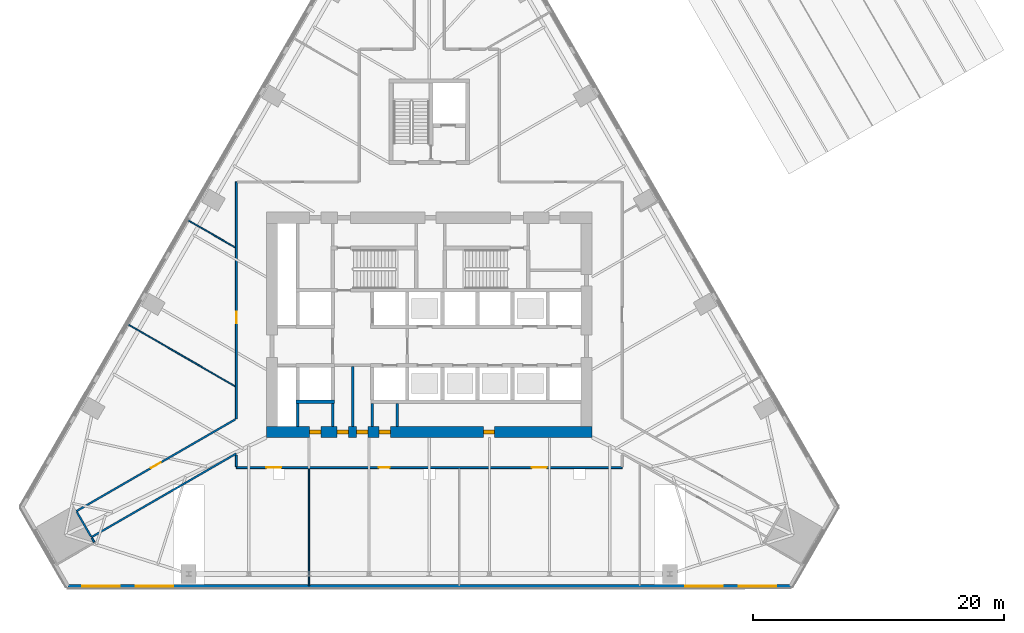
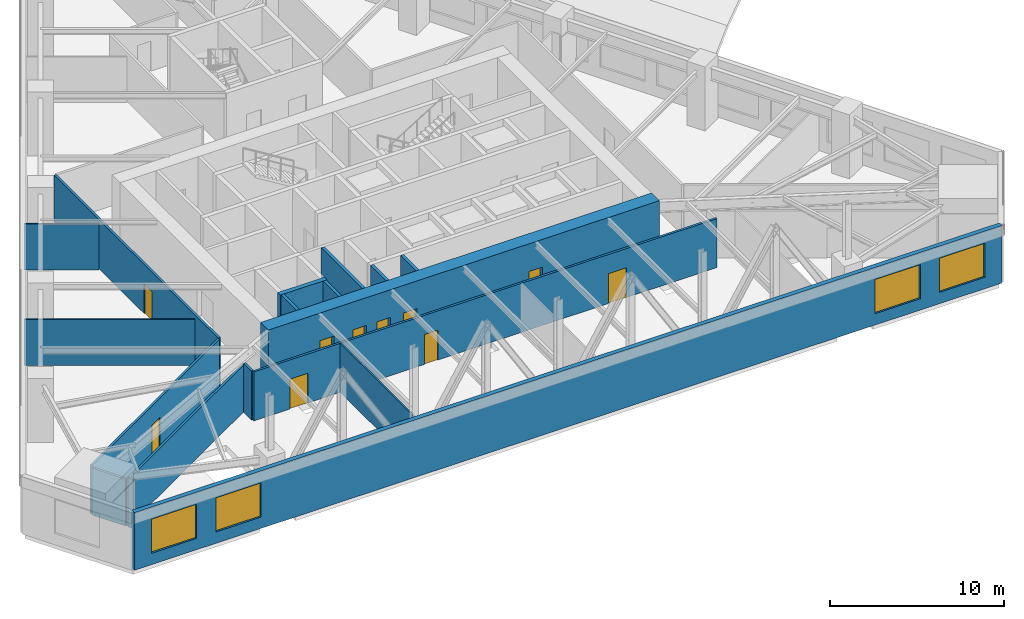
# One storey, part 5 of 11: 18 walls, 10 doors, 4 windows, 14 openings.
"""IFC4 building model written with IfcOpenShell, lengths in metres."""

from ifc_helpers import new_model, si_unit, direction, frame, frame_2d, origin, place, context, subcontext, project, spatial, rectangle, extrude, material, layer, layer_set, type_object, element, fill, save


model = new_model("IFC4")

# Units and contexts
model_context = context("Model", 3, precision=1e-05, world=origin(), true_north=direction((0.0, 1.0)))
body_context = subcontext(model_context, "Body", "Model", "MODEL_VIEW")
ifc_project = project(units=[si_unit("LENGTHUNIT", "METRE"), si_unit("AREAUNIT", "SQUARE_METRE"), si_unit("VOLUMEUNIT", "CUBIC_METRE"), si_unit("PLANEANGLEUNIT", "RADIAN"), si_unit("MASSUNIT", "GRAM", prefix="KILO")], contexts=[model_context])

# Site, building, storey
site_placement = place(None, origin())
site = spatial("IfcSite", under=ifc_project, at=site_placement, CompositionType="ELEMENT")
building_placement = place(site_placement, origin())
building = spatial("IfcBuilding", under=site, at=building_placement, Name="Firuza Gate Tower and Library", CompositionType="ELEMENT")
storey_placement = place(building_placement, frame((0.0, 0.0, 31.0)))
storey = spatial("IfcBuildingStorey", under=building, at=storey_placement, Name="L06", CompositionType="ELEMENT", Elevation=31.0)

# Walls
ifc_material_1 = material(Name="Plasterboard on steel studs", Category="steel")
ifc_layer_1 = layer(ifc_material_1, 0.199951171875)
ifc_layer_set_1 = layer_set([ifc_layer_1], Name="Core partition 200 EI 120")
wall_type_1 = type_object("IfcWallType", Name="Core partition 200 EI 120", PredefinedType="PARTITIONING", material=ifc_layer_set_1)
for number, where, z_axis, x_axis, name in (
    (1, (64.5, 66.89990234375, 0.0), (0.0, 0.0, 1.0), (0.0, 1.0, 0.0), "Core partition L06 5"),
    (2, (67.300048828125, 66.89990234375, 0.0), (0.0, 0.0, 1.0), (0.0, 1.0, 0.0), "Core partition L06 7"),
):
    element("IfcWall", number, at=place(storey_placement, frame(where, z_axis=z_axis, x_axis=x_axis)), inside=storey, type_object=wall_type_1, Name=name, PredefinedType="PARTITIONING", context=body_context, shape_type="SweptSolid", body=[
        extrude(rectangle(XDim=1.800048828125, YDim=0.199951171875, at=frame_2d((0.89990234375, 0.0))), origin(), (0.0, 0.0, 1.0), 4.050048828125),
    ])
wall_1_placement = place(storey_placement, frame((68.875, 66.89990234375, 0.0), z_axis=(0.0, 0.0, 1.0), x_axis=(0.0, 1.0, 0.0)))
element("IfcWall", 3, at=wall_1_placement, inside=storey, type_object=wall_type_1, Name="Core partition L06 10", PredefinedType="PARTITIONING", context=body_context, shape_type="SweptSolid", body=[
    extrude(rectangle(XDim=4.75, YDim=0.199951171875, at=frame_2d((2.375, 0.0))), origin(), (0.0, 0.0, 1.0), 4.050048828125),
])
for number, where, z_axis, x_axis, name in (
    (4, (70.449951171875, 66.89990234375, 0.0), (0.0, 0.0, 1.0), (0.0, 1.0, 0.0), "Core partition L06 11"),
    (5, (72.447998046875, 66.89990234375, 0.0), (0.0, 0.0, 1.0), (0.0, 1.0, 0.0), "Core partition L06 12"),
):
    element("IfcWall", number, at=place(storey_placement, frame(where, z_axis=z_axis, x_axis=x_axis)), inside=storey, type_object=wall_type_1, Name=name, PredefinedType="PARTITIONING", context=body_context, shape_type="SweptSolid", body=[
        extrude(rectangle(XDim=1.800048828125, YDim=0.199951171875, at=frame_2d((0.89990234375, 0.0))), origin(), (0.0, 0.0, 1.0), 4.050048828125),
    ])
ifc_material_2 = material(Name="Concrete C80/95", Category="concrete")
ifc_layer_2 = layer(ifc_material_2, 0.300048828125)
ifc_layer_set_2 = layer_set([ifc_layer_2], Name="Core wall 300 C80/95")
wall_type_2 = type_object("IfcWallType", Name="Core wall 300 C80/95", PredefinedType="SHEAR", material=ifc_layer_set_2)
wall_2_placement = place(storey_placement, frame((64.35009765625, 68.85009765625, 0.0), z_axis=(0.0, 0.0, 1.0), x_axis=(1.0, 0.0, 0.0)))
element("IfcWall", 6, at=wall_2_placement, inside=storey, type_object=wall_type_2, Name="Core wall L06 5", PredefinedType="SHEAR", context=body_context, shape_type="SweptSolid", body=[
    extrude(rectangle(XDim=3.099853515625, YDim=0.300048828125, at=frame_2d((1.5498046875, 0.0))), origin(), (0.0, 0.0, 1.0), 4.050048828125),
])

# Wall, openings, doors
ifc_material_3 = material(Name="Concrete C80/95", Category="concrete")
ifc_layer_3 = layer(ifc_material_3, 0.89990234375)
ifc_layer_set_3 = layer_set([ifc_layer_3], Name="Core wall 900 C80/95")
wall_type_3 = type_object("IfcWallType", Name="Core wall 900 C80/95", PredefinedType="SHEAR", material=ifc_layer_set_3)
wall_3_placement = place(storey_placement, frame((62.0, 66.449951171875, 0.0), z_axis=(0.0, 0.0, 1.0), x_axis=(1.0, 0.0, 0.0)))
wall_3 = element("IfcWall", 7, at=wall_3_placement, inside=storey, type_object=wall_type_3, Name="Core wall L06 1", PredefinedType="SHEAR", context=body_context, shape_type="SweptSolid", body=[
    extrude(rectangle(XDim=26.0, YDim=0.89990234375, at=frame_2d((13.0, 0.0))), origin(), (0.0, 0.0, 1.0), 4.050048828125),
])
opening_1_placement = place(wall_3_placement, frame((3.449951171875, 0.0, 0.0)))
opening_1 = element("IfcOpeningElement", 8, at=opening_1_placement, cuts=wall_3, Name="Opening L06-K24", PredefinedType="OPENING", context=body_context, shape_type="SweptSolid", body=[
    extrude(rectangle(XDim=0.89990234375, YDim=2.10009765625, at=frame_2d((0.449951171875, 1.050048828125))), frame((0.0, 0.4599609375, 0.0), z_axis=(0.0, -1.0, 0.0), x_axis=(1.0, 0.0, 0.0)), (0.0, 0.0, 1.0), 0.919921875),
])
opening_2_placement = place(wall_3_placement, frame((5.637451171875, 0.0, 0.0)))
opening_2 = element("IfcOpeningElement", 9, at=opening_2_placement, cuts=wall_3, Name="Opening L06-K25", PredefinedType="OPENING", context=body_context, shape_type="SweptSolid", body=[
    extrude(rectangle(XDim=0.89990234375, YDim=2.10009765625, at=frame_2d((0.449951171875, 1.050048828125))), frame((0.0, 0.4599609375, 0.0), z_axis=(0.0, -1.0, 0.0), x_axis=(1.0, 0.0, 0.0)), (0.0, 0.0, 1.0), 0.919921875),
])
opening_3_placement = place(wall_3_placement, frame((7.21240234375, 0.0, 0.0)))
opening_3 = element("IfcOpeningElement", 10, at=opening_3_placement, cuts=wall_3, Name="Opening L06-K26", PredefinedType="OPENING", context=body_context, shape_type="SweptSolid", body=[
    extrude(rectangle(XDim=0.89990234375, YDim=2.10009765625, at=frame_2d((0.449951171875, 1.050048828125))), frame((0.0, 0.4599609375, 0.0), z_axis=(0.0, -1.0, 0.0), x_axis=(1.0, 0.0, 0.0)), (0.0, 0.0, 1.0), 0.919921875),
])
opening_4_placement = place(wall_3_placement, frame((8.9990234375, 0.0, 0.0)))
opening_4 = element("IfcOpeningElement", 11, at=opening_4_placement, cuts=wall_3, Name="Opening L06-K27", PredefinedType="OPENING", context=body_context, shape_type="SweptSolid", body=[
    extrude(rectangle(XDim=0.89990234375, YDim=2.10009765625, at=frame_2d((0.449951171875, 1.050048828125))), frame((0.0, 0.4599609375, 0.0), z_axis=(0.0, -1.0, 0.0), x_axis=(1.0, 0.0, 0.0)), (0.0, 0.0, 1.0), 0.919921875),
])
opening_5_placement = place(wall_3_placement, frame((17.323974609375, 0.0, 0.0)))
opening_5 = element("IfcOpeningElement", 12, at=opening_5_placement, cuts=wall_3, Name="Opening L06-K28", PredefinedType="OPENING", context=body_context, shape_type="SweptSolid", body=[
    extrude(rectangle(XDim=0.89990234375, YDim=2.10009765625, at=frame_2d((0.449951171875, 1.050048828125))), frame((0.0, 0.4599609375, 0.0), z_axis=(0.0, -1.0, 0.0), x_axis=(1.0, 0.0, 0.0)), (0.0, 0.0, 1.0), 0.919921875),
])
ifc_material_4 = material(Name="Steel", Category="steel")
door_type_1 = type_object("IfcDoorType", Name="Fire door 900x2100 FD30S", OperationType="NOTDEFINED", PredefinedType="DOOR", material=ifc_material_4)
door_1_placement = place(opening_1_placement, origin())
door_1 = element("IfcDoor", 13, at=door_1_placement, inside=storey, type_object=door_type_1, Name="Door L06-K24", OperationType="SINGLE_SWING_LEFT", OverallHeight=2.10009765625, OverallWidth=0.89990234375, PredefinedType="DOOR", context=body_context, shape_type="SweptSolid", body=[
    extrude(rectangle(XDim=0.89990234375, YDim=2.10009765625, at=frame_2d((0.449951171875, 1.050048828125))), frame((0.0, 0.169921875, 0.0), z_axis=(0.0, -1.0, 0.0), x_axis=(1.0, 0.0, 0.0)), (0.0, 0.0, 1.0), 0.33984375),
])
fill(opening_1, door_1)
door_2_placement = place(opening_2_placement, origin())
door_2 = element("IfcDoor", 14, at=door_2_placement, inside=storey, type_object=door_type_1, Name="Door L06-K25", OperationType="SINGLE_SWING_RIGHT", OverallHeight=2.10009765625, OverallWidth=0.89990234375, PredefinedType="DOOR", context=body_context, shape_type="SweptSolid", body=[
    extrude(rectangle(XDim=0.89990234375, YDim=2.10009765625, at=frame_2d((0.449951171875, 1.050048828125))), frame((0.0, 0.169921875, 0.0), z_axis=(0.0, -1.0, 0.0), x_axis=(1.0, 0.0, 0.0)), (0.0, 0.0, 1.0), 0.33984375),
])
fill(opening_2, door_2)
door_3_placement = place(opening_3_placement, origin())
door_3 = element("IfcDoor", 15, at=door_3_placement, inside=storey, type_object=door_type_1, Name="Door L06-K26", OperationType="SINGLE_SWING_LEFT", OverallHeight=2.10009765625, OverallWidth=0.89990234375, PredefinedType="DOOR", context=body_context, shape_type="SweptSolid", body=[
    extrude(rectangle(XDim=0.89990234375, YDim=2.10009765625, at=frame_2d((0.449951171875, 1.050048828125))), frame((0.0, 0.169921875, 0.0), z_axis=(0.0, -1.0, 0.0), x_axis=(1.0, 0.0, 0.0)), (0.0, 0.0, 1.0), 0.33984375),
])
fill(opening_3, door_3)
door_4_placement = place(opening_4_placement, origin())
door_4 = element("IfcDoor", 16, at=door_4_placement, inside=storey, type_object=door_type_1, Name="Door L06-K27", OperationType="SINGLE_SWING_RIGHT", OverallHeight=2.10009765625, OverallWidth=0.89990234375, PredefinedType="DOOR", context=body_context, shape_type="SweptSolid", body=[
    extrude(rectangle(XDim=0.89990234375, YDim=2.10009765625, at=frame_2d((0.449951171875, 1.050048828125))), frame((0.0, 0.169921875, 0.0), z_axis=(0.0, -1.0, 0.0), x_axis=(1.0, 0.0, 0.0)), (0.0, 0.0, 1.0), 0.33984375),
])
fill(opening_4, door_4)
door_5_placement = place(opening_5_placement, origin())
door_5 = element("IfcDoor", 17, at=door_5_placement, inside=storey, type_object=door_type_1, Name="Door L06-K28", OperationType="SINGLE_SWING_LEFT", OverallHeight=2.10009765625, OverallWidth=0.89990234375, PredefinedType="DOOR", context=body_context, shape_type="SweptSolid", body=[
    extrude(rectangle(XDim=0.89990234375, YDim=2.10009765625, at=frame_2d((0.449951171875, 1.050048828125))), frame((0.0, 0.169921875, 0.0), z_axis=(0.0, -1.0, 0.0), x_axis=(1.0, 0.0, 0.0)), (0.0, 0.0, 1.0), 0.33984375),
])
fill(opening_5, door_5)

ifc_material_5 = material(Name="Gypsum board partition")
ifc_layer_4 = layer(ifc_material_5, 0.14990234375)
ifc_layer_set_4 = layer_set([ifc_layer_4], Name="Corridor wall 150 double board on steel studs")
wall_type_4 = type_object("IfcWallType", Name="Corridor wall 150 double board on steel studs", PredefinedType="PARTITIONING", material=ifc_layer_set_4)
wall_4_placement = place(storey_placement, frame((90.39990234375, 63.60009765625, 0.0), z_axis=(0.0, 0.0, 1.0), x_axis=(-1.0, 0.0, 0.0)))
wall_4 = element("IfcWall", 18, at=wall_4_placement, inside=storey, type_object=wall_type_4, Name="f:L06:w000", PredefinedType="PARTITIONING", context=body_context, shape_type="SweptSolid", body=[
    extrude(rectangle(XDim=30.79931640625, YDim=0.14990234375, at=frame_2d((15.399658203125, 0.0))), origin(), (0.0, 0.0, 1.0), 3.449951171875),
])
opening_6_placement = place(wall_4_placement, frame((6.00146484375, 0.0, 0.0)))
opening_6 = element("IfcOpeningElement", 19, at=opening_6_placement, cuts=wall_4, Name="Opening L06-01", PredefinedType="OPENING", context=body_context, shape_type="SweptSolid", body=[
    extrude(rectangle(XDim=1.199951171875, YDim=2.10009765625, at=frame_2d((0.60009765625, 1.050048828125))), frame((0.0, 0.0849609375, 0.0), z_axis=(0.0, -1.0, 0.0), x_axis=(1.0, 0.0, 0.0)), (0.0, 0.0, 1.0), 0.169921875),
])
opening_7_placement = place(wall_4_placement, frame((18.550048828125, 0.0, 0.0)))
opening_7 = element("IfcOpeningElement", 20, at=opening_7_placement, cuts=wall_4, Name="Opening L06-02", PredefinedType="OPENING", context=body_context, shape_type="SweptSolid", body=[
    extrude(rectangle(XDim=0.89990234375, YDim=2.10009765625, at=frame_2d((0.449951171875, 1.050048828125))), frame((0.0, 0.0849609375, 0.0), z_axis=(0.0, -1.0, 0.0), x_axis=(1.0, 0.0, 0.0)), (0.0, 0.0, 1.0), 0.169921875),
])
opening_8_placement = place(wall_4_placement, frame((27.1982421875, 0.0, 0.0)))
opening_8 = element("IfcOpeningElement", 21, at=opening_8_placement, cuts=wall_4, Name="Opening L06-03", PredefinedType="OPENING", context=body_context, shape_type="SweptSolid", body=[
    extrude(rectangle(XDim=1.199951171875, YDim=2.10009765625, at=frame_2d((0.60009765625, 1.050048828125))), frame((0.0, 0.0849609375, 0.0), z_axis=(0.0, -1.0, 0.0), x_axis=(1.0, 0.0, 0.0)), (0.0, 0.0, 1.0), 0.169921875),
])
ifc_material_6 = material(Name="Steel door and timber leaf", Category="steel")
door_type_2 = type_object("IfcDoorType", Name="Fire door 1200 x 2100 steel frame, double leaf", OperationType="NOTDEFINED", PredefinedType="DOOR", material=ifc_material_6)
door_6_placement = place(opening_6_placement, origin())
door_6 = element("IfcDoor", 22, at=door_6_placement, inside=storey, type_object=door_type_2, Name="f:L06:d001", OperationType="DOUBLE_DOOR_SINGLE_SWING", OverallHeight=2.10009765625, OverallWidth=1.199951171875, PredefinedType="DOOR", context=body_context, shape_type="SweptSolid", body=[
    extrude(rectangle(XDim=1.199951171875, YDim=2.10009765625, at=frame_2d((0.60009765625, 1.050048828125))), frame((0.0, 0.02490234375, 0.0), z_axis=(0.0, -1.0, 0.0), x_axis=(1.0, 0.0, 0.0)), (0.0, 0.0, 1.0), 0.050048828125),
])
fill(opening_6, door_6)
door_7_placement = place(opening_8_placement, origin())
door_7 = element("IfcDoor", 23, at=door_7_placement, inside=storey, type_object=door_type_2, Name="f:L06:d003", OperationType="DOUBLE_DOOR_SINGLE_SWING", OverallHeight=2.10009765625, OverallWidth=1.199951171875, PredefinedType="DOOR", context=body_context, shape_type="SweptSolid", body=[
    extrude(rectangle(XDim=1.199951171875, YDim=2.10009765625, at=frame_2d((0.60009765625, 1.050048828125))), frame((0.0, 0.02490234375, 0.0), z_axis=(0.0, -1.0, 0.0), x_axis=(1.0, 0.0, 0.0)), (0.0, 0.0, 1.0), 0.050048828125),
])
fill(opening_8, door_7)
ifc_material_7 = material(Name="Steel door and timber leaf", Category="steel")
door_type_3 = type_object("IfcDoorType", Name="Fire door 900 x 2100 steel frame, timber leaf", OperationType="NOTDEFINED", PredefinedType="DOOR", material=ifc_material_7)
door_8_placement = place(opening_7_placement, origin())
door_8 = element("IfcDoor", 24, at=door_8_placement, inside=storey, type_object=door_type_3, Name="f:L06:d002", OperationType="SINGLE_SWING_LEFT", OverallHeight=2.10009765625, OverallWidth=0.89990234375, PredefinedType="DOOR", context=body_context, shape_type="SweptSolid", body=[
    extrude(rectangle(XDim=0.89990234375, YDim=2.10009765625, at=frame_2d((0.449951171875, 1.050048828125))), frame((0.0, 0.02490234375, 0.0), z_axis=(0.0, -1.0, 0.0), x_axis=(1.0, 0.0, 0.0)), (0.0, 0.0, 1.0), 0.050048828125),
])
fill(opening_7, door_8)

# Wall
wall_5_placement = place(storey_placement, frame((48.031005859375, 58.0439453125, 0.0), z_axis=(0.0, 0.0, 1.0), x_axis=(0.866027935033, 0.499995615723, 0.0)))
element("IfcWall", 25, at=wall_5_placement, inside=storey, type_object=wall_type_4, Name="f:L06:w008", PredefinedType="PARTITIONING", context=body_context, shape_type="SweptSolid", body=[
    extrude(rectangle(XDim=13.3583984375, YDim=0.14990234375, at=frame_2d((6.67919921875, 0.0))), origin(), (0.0, 0.0, 1.0), 3.297119140625),
])

# Wall, opening, door
wall_6_placement = place(storey_placement, frame((46.83154296875, 60.12255859375, 0.0), z_axis=(0.0, 0.0, 1.0), x_axis=(0.866022484069, 0.500005057062, 0.0)))
wall_6 = element("IfcWall", 26, at=wall_6_placement, inside=storey, type_object=wall_type_4, Name="f:L06:w011", PredefinedType="PARTITIONING", context=body_context, shape_type="SweptSolid", body=[
    extrude(rectangle(XDim=14.656982421875, YDim=0.14990234375, at=frame_2d((7.32861328125, 0.0))), origin(), (0.0, 0.0, 1.0), 3.449951171875),
])
opening_9_placement = place(wall_6_placement, frame((6.878662109375, 0.0, 0.0)))
opening_9 = element("IfcOpeningElement", 27, at=opening_9_placement, cuts=wall_6, Name="Opening L06-08", PredefinedType="OPENING", context=body_context, shape_type="SweptSolid", body=[
    extrude(rectangle(XDim=0.89990234375, YDim=2.10009765625, at=frame_2d((0.449951171875, 1.050048828125))), frame((0.0, 0.0849609375, 0.0), z_axis=(0.0, -1.0, 0.0), x_axis=(1.0, 0.0, 0.0)), (0.0, 0.0, 1.0), 0.169921875),
])
door_9_placement = place(opening_9_placement, origin())
door_9 = element("IfcDoor", 28, at=door_9_placement, inside=storey, type_object=door_type_3, Name="f:L06:d008", OperationType="SINGLE_SWING_RIGHT", OverallHeight=2.10009765625, OverallWidth=0.89990234375, PredefinedType="DOOR", context=body_context, shape_type="SweptSolid", body=[
    extrude(rectangle(XDim=0.89990234375, YDim=2.10009765625, at=frame_2d((0.449951171875, 1.050048828125))), frame((0.0, 0.02490234375, 0.0), z_axis=(0.0, -1.0, 0.0), x_axis=(1.0, 0.0, 0.0)), (0.0, 0.0, 1.0), 0.050048828125),
])
fill(opening_9, door_9)

# Wall
wall_7_placement = place(storey_placement, frame((59.60009765625, 63.675537109375, 0.0), z_axis=(0.0, 0.0, 1.0), x_axis=(0.0, 1.0, 0.0)))
element("IfcWall", 29, at=wall_7_placement, inside=storey, type_object=wall_type_4, Name="f:L06:w024", PredefinedType="PARTITIONING", context=body_context, shape_type="SweptSolid", body=[
    extrude(rectangle(XDim=0.9111328125, YDim=0.14990234375, at=frame_2d((0.45556640625, 0.0))), origin(), (0.0, 0.0, 1.0), 3.449951171875),
])

# Wall, opening, door
wall_8_placement = place(storey_placement, frame((59.60009765625, 67.494384765625, 0.0), z_axis=(0.0, 0.0, 1.0), x_axis=(0.0, 1.0, 0.0)))
wall_8 = element("IfcWall", 30, at=wall_8_placement, inside=storey, type_object=wall_type_4, Name="f:L06:w025", PredefinedType="PARTITIONING", context=body_context, shape_type="SweptSolid", body=[
    extrude(rectangle(XDim=18.905029296875, YDim=0.14990234375, at=frame_2d((9.45263671875, 0.0))), origin(), (0.0, 0.0, 1.0), 3.449951171875),
])
opening_10_placement = place(wall_8_placement, frame((7.633056640625, 0.0, 0.0)))
opening_10 = element("IfcOpeningElement", 31, at=opening_10_placement, cuts=wall_8, Name="Opening L06-10", PredefinedType="OPENING", context=body_context, shape_type="SweptSolid", body=[
    extrude(rectangle(XDim=0.89990234375, YDim=2.10009765625, at=frame_2d((0.449951171875, 1.050048828125))), frame((0.0, 0.0849609375, 0.0), z_axis=(0.0, -1.0, 0.0), x_axis=(1.0, 0.0, 0.0)), (0.0, 0.0, 1.0), 0.169921875),
])
door_10_placement = place(opening_10_placement, origin())
door_10 = element("IfcDoor", 32, at=door_10_placement, inside=storey, type_object=door_type_3, Name="f:L06:d010", OperationType="SINGLE_SWING_LEFT", OverallHeight=2.10009765625, OverallWidth=0.89990234375, PredefinedType="DOOR", context=body_context, shape_type="SweptSolid", body=[
    extrude(rectangle(XDim=0.89990234375, YDim=2.10009765625, at=frame_2d((0.449951171875, 1.050048828125))), frame((0.0, 0.02490234375, 0.0), z_axis=(0.0, -1.0, 0.0), x_axis=(1.0, 0.0, 0.0)), (0.0, 0.0, 1.0), 0.050048828125),
])
fill(opening_10, door_10)

# Walls
wall_9_placement = place(storey_placement, frame((48.255859375, 57.654541015625, 0.0), z_axis=(0.0, 0.0, 1.0), x_axis=(-0.499854089722, 0.866109628736, 0.0)))
element("IfcWall", 33, at=wall_9_placement, inside=storey, type_object=wall_type_4, Name="f:L06:w027", PredefinedType="PARTITIONING", context=body_context, shape_type="SweptSolid", body=[
    extrude(rectangle(XDim=0.37451171875, YDim=0.14990234375, at=frame_2d((0.187255859375, 0.0))), origin(), (0.0, 0.0, 1.0), 3.449951171875),
])
wall_10_placement = place(storey_placement, frame((47.993408203125, 58.10888671875, 0.0), z_axis=(0.0, 0.0, 1.0), x_axis=(-0.499944821793, 0.866057258594, 0.0)))
element("IfcWall", 34, at=wall_10_placement, inside=storey, type_object=wall_type_4, Name="f:L06:w036", PredefinedType="PARTITIONING", context=body_context, shape_type="SweptSolid", body=[
    extrude(rectangle(XDim=2.249267578125, YDim=0.14990234375, at=frame_2d((1.12451171875, 0.0))), origin(), (0.0, 0.0, 1.0), 3.297119140625),
])
ifc_material_8 = material(Name="Gypsum board partition")
ifc_layer_5 = layer(ifc_material_8, 0.10009765625)
ifc_layer_set_5 = layer_set([ifc_layer_5], Name="Partition 100 gypsum board on steel studs")
wall_type_5 = type_object("IfcWallType", Name="Partition 100 gypsum board on steel studs", PredefinedType="PARTITIONING", material=ifc_layer_set_5)
wall_11_placement = place(storey_placement, frame((65.39990234375, 54.1552734375, 0.0), z_axis=(0.0, 0.0, 1.0), x_axis=(0.0, 1.0, 0.0)))
element("IfcWall", 35, at=wall_11_placement, inside=storey, type_object=wall_type_5, Name="f:L06:w023", PredefinedType="PARTITIONING", context=body_context, shape_type="SweptSolid", body=[
    extrude(rectangle(XDim=9.36962890625, YDim=0.10009765625, at=frame_2d((4.684814453125, 0.0))), origin(), (0.0, 0.0, 1.0), 3.449951171875),
])
wall_12_placement = place(storey_placement, frame((59.4990234375, 81.17822265625, 0.0), z_axis=(0.0, 0.0, 1.0), x_axis=(-0.866009972995, 0.500026725959, 0.0)))
element("IfcWall", 36, at=wall_12_placement, inside=storey, type_object=wall_type_5, Name="f:L06:w032", PredefinedType="PARTITIONING", context=body_context, shape_type="SweptSolid", body=[
    extrude(rectangle(XDim=4.329345703125, YDim=0.10009765625, at=frame_2d((2.16455078125, 0.0))), origin(), (0.0, 0.0, 1.0), 3.215087890625),
])
wall_13_placement = place(storey_placement, frame((59.4990234375, 70.09326171875, 0.0), z_axis=(0.0, 0.0, 1.0), x_axis=(-0.866032382951, 0.499987911535, 0.0)))
element("IfcWall", 37, at=wall_13_placement, inside=storey, type_object=wall_type_5, Name="f:L06:w033", PredefinedType="PARTITIONING", context=body_context, shape_type="SweptSolid", body=[
    extrude(rectangle(XDim=9.871826171875, YDim=0.10009765625, at=frame_2d((4.93603515625, 0.0))), origin(), (0.0, 0.0, 1.0), 3.215087890625),
])

# Wall, openings, windows
ifc_material_9 = material(Name="Concrete C40/50", Category="concrete")
ifc_layer_6 = layer(ifc_material_9, 0.300048828125)
ifc_layer_set_6 = layer_set([ifc_layer_6], Name="Plant louvre wall 300")
wall_type_6 = type_object("IfcWallType", Name="Plant louvre wall 300", PredefinedType="SOLIDWALL", material=ifc_layer_set_6)
wall_14_placement = place(storey_placement, frame((46.14794921875, 54.12548828125, 0.0), z_axis=(0.0, 0.0, 1.0), x_axis=(1.0, 0.0, 0.0)))
wall_14 = element("IfcWall", 38, at=wall_14_placement, inside=storey, type_object=wall_type_6, Name="Plant louvre wall 1", PredefinedType="SOLIDWALL", context=body_context, shape_type="SweptSolid", body=[
    extrude(rectangle(XDim=57.7041015625, YDim=0.300048828125, at=frame_2d((28.85205078125, 0.0))), origin(), (0.0, 0.0, 1.0), 4.050048828125),
])
opening_11_placement = place(wall_14_placement, frame((1.14501953125, 0.0, 0.800048828125)))
opening_11 = element("IfcOpeningElement", 39, at=opening_11_placement, cuts=wall_14, Name="Opening WD3-001", PredefinedType="OPENING", context=body_context, shape_type="SweptSolid", body=[
    extrude(rectangle(XDim=3.0, YDim=2.39990234375, at=frame_2d((1.5, 1.199951171875))), frame((0.0, 0.16015625, 0.0), z_axis=(0.0, -1.0, 0.0), x_axis=(1.0, 0.0, 0.0)), (0.0, 0.0, 1.0), 0.320068359375),
])
opening_12_placement = place(wall_14_placement, frame((5.43505859375, 0.0, 0.800048828125)))
opening_12 = element("IfcOpeningElement", 40, at=opening_12_placement, cuts=wall_14, Name="Opening WD3-002", PredefinedType="OPENING", context=body_context, shape_type="SweptSolid", body=[
    extrude(rectangle(XDim=3.0, YDim=2.39990234375, at=frame_2d((1.5, 1.199951171875))), frame((0.0, 0.16015625, 0.0), z_axis=(0.0, -1.0, 0.0), x_axis=(1.0, 0.0, 0.0)), (0.0, 0.0, 1.0), 0.320068359375),
])
opening_13_placement = place(wall_14_placement, frame((49.26904296875, 0.0, 0.800048828125)))
opening_13 = element("IfcOpeningElement", 41, at=opening_13_placement, cuts=wall_14, Name="Opening WD3-003", PredefinedType="OPENING", context=body_context, shape_type="SweptSolid", body=[
    extrude(rectangle(XDim=3.0, YDim=2.39990234375, at=frame_2d((1.5, 1.199951171875))), frame((0.0, 0.16015625, 0.0), z_axis=(0.0, -1.0, 0.0), x_axis=(1.0, 0.0, 0.0)), (0.0, 0.0, 1.0), 0.320068359375),
])
opening_14_placement = place(wall_14_placement, frame((53.558837890625, 0.0, 0.800048828125)))
opening_14 = element("IfcOpeningElement", 42, at=opening_14_placement, cuts=wall_14, Name="Opening WD3-004", PredefinedType="OPENING", context=body_context, shape_type="SweptSolid", body=[
    extrude(rectangle(XDim=3.0, YDim=2.39990234375, at=frame_2d((1.5, 1.199951171875))), frame((0.0, 0.16015625, 0.0), z_axis=(0.0, -1.0, 0.0), x_axis=(1.0, 0.0, 0.0)), (0.0, 0.0, 1.0), 0.320068359375),
])
ifc_material_10 = material(Name="Aluminium 6063-T6", Category="aluminium")
window_type = type_object("IfcWindowType", Name="Plant louvre 3000x2400", PartitioningType="SINGLE_PANEL", PredefinedType="WINDOW", material=ifc_material_10)
window_1_placement = place(opening_11_placement, origin())
window_1 = element("IfcWindow", 43, at=window_1_placement, inside=storey, type_object=window_type, Name="e:pwall:L06:0/L0", OverallHeight=2.39990234375, OverallWidth=3.0, PartitioningType="SINGLE_PANEL", PredefinedType="WINDOW", context=body_context, shape_type="SweptSolid", body=[
    extrude(rectangle(XDim=3.0, YDim=2.39990234375, at=frame_2d((1.5, 1.199951171875))), frame((0.0, 0.030029296875, 0.0), z_axis=(0.0, -1.0, 0.0), x_axis=(1.0, 0.0, 0.0)), (0.0, 0.0, 1.0), 0.06005859375),
])
fill(opening_11, window_1)
window_2_placement = place(opening_12_placement, origin())
window_2 = element("IfcWindow", 44, at=window_2_placement, inside=storey, type_object=window_type, Name="e:pwall:L06:0/L1", OverallHeight=2.39990234375, OverallWidth=3.0, PartitioningType="SINGLE_PANEL", PredefinedType="WINDOW", context=body_context, shape_type="SweptSolid", body=[
    extrude(rectangle(XDim=3.0, YDim=2.39990234375, at=frame_2d((1.5, 1.199951171875))), frame((0.0, 0.030029296875, 0.0), z_axis=(0.0, -1.0, 0.0), x_axis=(1.0, 0.0, 0.0)), (0.0, 0.0, 1.0), 0.06005859375),
])
fill(opening_12, window_2)
window_3_placement = place(opening_13_placement, origin())
window_3 = element("IfcWindow", 45, at=window_3_placement, inside=storey, type_object=window_type, Name="e:pwall:L06:0/L2", OverallHeight=2.39990234375, OverallWidth=3.0, PartitioningType="SINGLE_PANEL", PredefinedType="WINDOW", context=body_context, shape_type="SweptSolid", body=[
    extrude(rectangle(XDim=3.0, YDim=2.39990234375, at=frame_2d((1.5, 1.199951171875))), frame((0.0, 0.030029296875, 0.0), z_axis=(0.0, -1.0, 0.0), x_axis=(1.0, 0.0, 0.0)), (0.0, 0.0, 1.0), 0.06005859375),
])
fill(opening_13, window_3)
window_4_placement = place(opening_14_placement, origin())
window_4 = element("IfcWindow", 46, at=window_4_placement, inside=storey, type_object=window_type, Name="e:pwall:L06:0/L3", OverallHeight=2.39990234375, OverallWidth=3.0, PartitioningType="SINGLE_PANEL", PredefinedType="WINDOW", context=body_context, shape_type="SweptSolid", body=[
    extrude(rectangle(XDim=3.0, YDim=2.39990234375, at=frame_2d((1.5, 1.199951171875))), frame((0.0, 0.030029296875, 0.0), z_axis=(0.0, -1.0, 0.0), x_axis=(1.0, 0.0, 0.0)), (0.0, 0.0, 1.0), 0.06005859375),
])
fill(opening_14, window_4)

save(model, "model.ifc")
